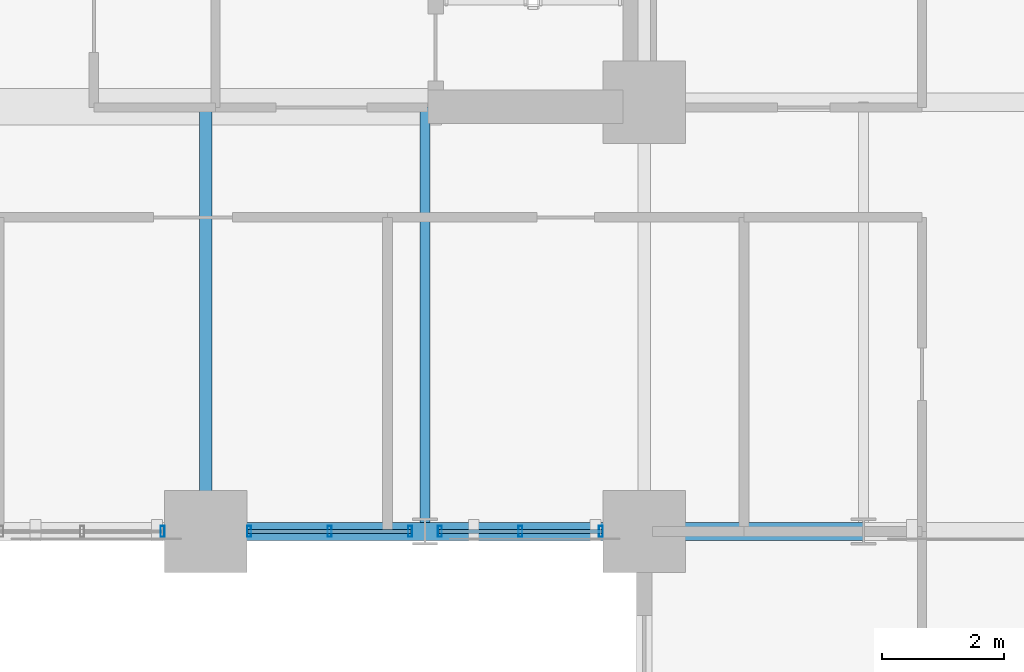
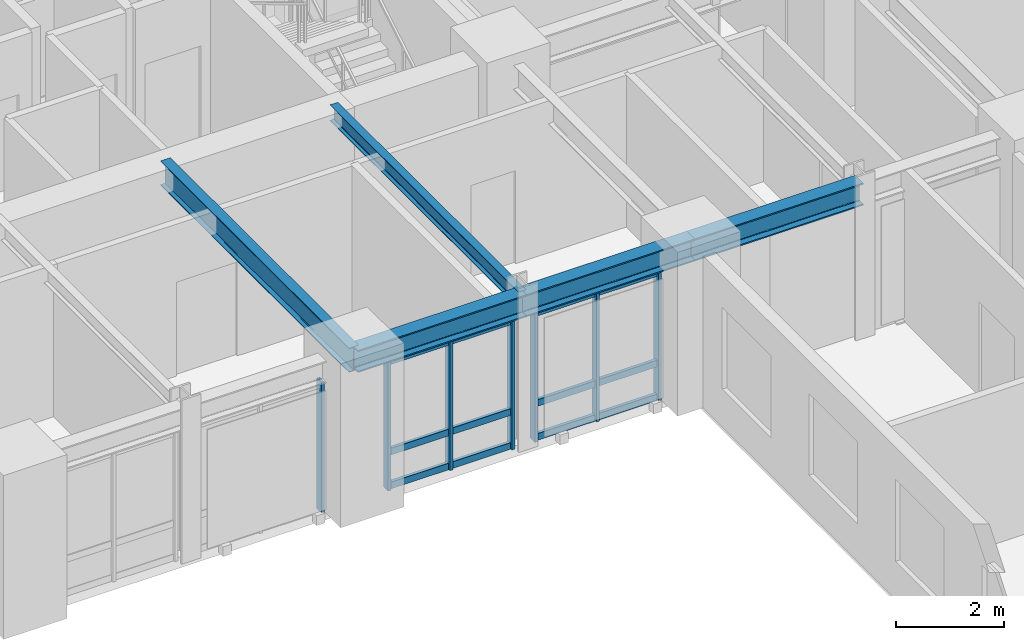
# One storey, part 5 of 16: 13 members, 5 beams, 3 elements without a shape of their own.
"""IFC4 building model written with IfcOpenShell, lengths in metres."""

from ifc_helpers import new_model, si_unit, direction, frame, origin, origin_2d, place, context, subcontext, project, spatial, hollow_rectangle, i_section, extrude, source, transform, mapped, material, layer, layer_set, material_profile, profile_set, type_object, element, aggregate, save


model = new_model("IFC4")

# Units and contexts
model_context = context("Model", 3, precision=1e-05, world=origin(), true_north=direction((0.0, 1.0)))
body_context = subcontext(model_context, "Body", "Model", "MODEL_VIEW")
ifc_project = project(units=[si_unit("LENGTHUNIT", "METRE"), si_unit("AREAUNIT", "SQUARE_METRE"), si_unit("VOLUMEUNIT", "CUBIC_METRE"), si_unit("PLANEANGLEUNIT", "RADIAN"), si_unit("MASSUNIT", "GRAM", prefix="KILO")], contexts=[model_context])

# Site, building, storey
site_placement = place(None, origin())
site = spatial("IfcSite", under=ifc_project, at=site_placement, CompositionType="ELEMENT")
building_placement = place(site_placement, origin())
building = spatial("IfcBuilding", under=site, at=building_placement, Name="Kaliganga Portal Commons", CompositionType="ELEMENT")
storey_placement = place(building_placement, frame((0.0, 0.0, 29.0)))
storey = spatial("IfcBuildingStorey", under=building, at=storey_placement, Name="L06", CompositionType="ELEMENT", Elevation=29.0)

# Beams
ifc_material_1 = material(Name="Structural steel S355J2", Category="steel")
ifc_material_profile_1 = material_profile(ifc_material_1, i_section(OverallWidth=0.300048828125, OverallDepth=0.5, WebThickness=0.014404296875, FlangeThickness=0.028076171875, FilletRadius=0.027099609375, at=origin_2d()), Name="HE 500 B")
ifc_profile_set_1 = profile_set([ifc_material_profile_1], Name="Structural steel S355J2 wide-flange")
beam_type_1 = type_object("IfcBeamType", Name="BM-SPAND-500", PredefinedType="SPANDREL", material=ifc_profile_set_1)
shared_shape_1 = source(origin(), body_context, "Body", "SweptSolid", [
    extrude(i_section(OverallWidth=0.300048828125, OverallDepth=0.5, WebThickness=0.014404296875, FlangeThickness=0.028076171875, FilletRadius=0.027099609375, at=origin_2d()), origin(), (0.0, 0.0, 1.0), 3.60009765625),
])
beam_1_placement = place(storey_placement, frame((25.199951171875, 21.60009765625, 3.199951171875), z_axis=(1.0, 0.0, 0.0), x_axis=(0.0, 1.0, 0.0)))
element("IfcBeam", 1, at=beam_1_placement, inside=storey, type_object=beam_type_1, Name="BM SP L06 AS 4", PredefinedType="SPANDREL", context=body_context, shape_type="MappedRepresentation", body=[
    mapped(shared_shape_1, transform((0.0, 0.0, 0.0), x_axis=(1.0, 0.0, 0.0), y_axis=(0.0, 1.0, 0.0), z_axis=(0.0, 0.0, 1.0), scale=1.0)),
])
shared_shape_2 = source(origin(), body_context, "Body", "SweptSolid", [
    extrude(i_section(OverallWidth=0.300048828125, OverallDepth=0.5, WebThickness=0.014404296875, FlangeThickness=0.028076171875, FilletRadius=0.027099609375, at=origin_2d()), origin(), (0.0, 0.0, 1.0), 3.599853515625),
])
for number, where, z_axis, x_axis, name in (
    (2, (21.60009765625, 21.60009765625, 3.199951171875), (1.0, 0.0, 0.0), (0.0, 1.0, 0.0), "BM SP L06 AS 3"),
    (3, (28.800048828125, 21.60009765625, 3.199951171875), (1.0, 0.0, 0.0), (0.0, 1.0, 0.0), "BM SP L06 AS 5"),
):
    element("IfcBeam", number, at=place(storey_placement, frame(where, z_axis=z_axis, x_axis=x_axis)), inside=storey, type_object=beam_type_1, Name=name, PredefinedType="SPANDREL", context=body_context, shape_type="MappedRepresentation", body=[
        mapped(shared_shape_2, transform((0.0, 0.0, 0.0), x_axis=(1.0, 0.0, 0.0), y_axis=(0.0, 1.0, 0.0), z_axis=(0.0, 0.0, 1.0), scale=1.0)),
    ])
ifc_material_profile_2 = material_profile(ifc_material_1, i_section(OverallWidth=0.169921875, OverallDepth=0.360107421875, WebThickness=0.008056640625, FlangeThickness=0.0126953125, FilletRadius=0.01806640625, at=origin_2d()), Name="IPE 360")
ifc_profile_set_2 = profile_set([ifc_material_profile_2], Name="Structural steel S355J2 wide-flange")
beam_type_2 = type_object("IfcBeamType", Name="BM-JST-360", PredefinedType="JOIST", material=ifc_profile_set_2)
shared_shape_3 = source(origin(), body_context, "Body", "SweptSolid", [
    extrude(i_section(OverallWidth=0.169921875, OverallDepth=0.360107421875, WebThickness=0.008056640625, FlangeThickness=0.0126953125, FilletRadius=0.01806640625, at=origin_2d()), origin(), (0.0, 0.0, 1.0), 6.974853515625),
])
beam_2_placement = place(storey_placement, frame((25.199951171875, 21.60009765625, 3.27001953125), z_axis=(0.0, 1.0, 0.0), x_axis=(-1.0, 0.0, 0.0)))
element("IfcBeam", 4, at=beam_2_placement, inside=storey, type_object=beam_type_2, Name="BM G L06 AS252", PredefinedType="JOIST", context=body_context, shape_type="MappedRepresentation", body=[
    mapped(shared_shape_3, transform((0.0, 0.0, 0.0), x_axis=(1.0, 0.0, 0.0), y_axis=(0.0, 1.0, 0.0), z_axis=(0.0, 0.0, 1.0), scale=1.0)),
])
ifc_material_profile_3 = material_profile(ifc_material_1, i_section(OverallWidth=0.2099609375, OverallDepth=0.550048828125, WebThickness=0.010986328125, FlangeThickness=0.01708984375, FilletRadius=0.02392578125, at=origin_2d()), Name="IPE 550")
ifc_profile_set_3 = profile_set([ifc_material_profile_3], Name="Structural steel S355J2 wide-flange")
beam_type_3 = type_object("IfcBeamType", Name="BM-FLR-550", PredefinedType="BEAM", material=ifc_profile_set_3)
shared_shape_4 = source(origin(), body_context, "Body", "SweptSolid", [
    extrude(i_section(OverallWidth=0.2099609375, OverallDepth=0.550048828125, WebThickness=0.010986328125, FlangeThickness=0.01708984375, FilletRadius=0.02392578125, at=origin_2d()), origin(), (0.0, 0.0, 1.0), 6.974853515625),
])
beam_3_placement = place(storey_placement, frame((21.60009765625, 21.60009765625, 3.175048828125), z_axis=(0.0, 1.0, 0.0), x_axis=(-1.0, 0.0, 0.0)))
element("IfcBeam", 5, at=beam_3_placement, inside=storey, type_object=beam_type_3, Name="BM G L06 AS216", PredefinedType="BEAM", context=body_context, shape_type="MappedRepresentation", body=[
    mapped(shared_shape_4, transform((0.0, 0.0, 0.0), x_axis=(1.0, 0.0, 0.0), y_axis=(0.0, 1.0, 0.0), z_axis=(0.0, 0.0, 1.0), scale=1.0)),
])

# Curtain wall, member
ifc_material_2 = material(Name="Anodized Aluminium and Laminated Low-E Glass", Category="aluminium")
ifc_layer = layer(ifc_material_2, 0.2099609375)
ifc_layer_set = layer_set([ifc_layer], Name="Anodized Aluminium and Laminated Low-E Glass")
curtain_wall_type = type_object("IfcCurtainWallType", Name="CW-SYS-03", PredefinedType="NOTDEFINED", material=ifc_layer_set)
curtain_wall_1_placement = place(storey_placement, origin())
curtain_wall_1 = element("IfcCurtainWall", 6, at=curtain_wall_1_placement, inside=storey, type_object=curtain_wall_type, Name="CW 03 L06 P1E04S3", PredefinedType="NOTDEFINED")
ifc_material_3 = material(Name="Dark Bronze Anodized Aluminium", Category="aluminium")
ifc_material_profile_4 = material_profile(ifc_material_3, hollow_rectangle(XDim=0.06494140625, YDim=0.179931640625, WallThickness=0.00390625, at=origin_2d()), Name="ALU MULL 65x180x4")
ifc_profile_set_4 = profile_set([ifc_material_profile_4], Name="Dark Bronze Anodized Aluminium")
member_type_1 = type_object("IfcMemberType", Name="CW-MUL-180", PredefinedType="MULLION", material=ifc_profile_set_4)
shared_shape_5 = source(origin(), body_context, "Body", "SweptSolid", [
    extrude(hollow_rectangle(XDim=0.06494140625, YDim=0.179931640625, WallThickness=0.00390625, at=origin_2d()), origin(), (0.0, 0.0, 1.0), 2.949951171875),
])
member_1_placement = place(storey_placement, frame((20.888916015625, 21.60009765625, 0.0), z_axis=(0.0, 0.0, 1.0), x_axis=(1.0, 0.0, 0.0)))
member_1 = element("IfcMember", 7, at=member_1_placement, type_object=member_type_1, Name="CW:03:L06:P1E04S3 Mullion 02", PredefinedType="MULLION", context=body_context, shape_type="MappedRepresentation", body=[
    mapped(shared_shape_5, transform((0.0, 0.0, 0.0), x_axis=(1.0, 0.0, 0.0), y_axis=(0.0, 1.0, 0.0), z_axis=(0.0, 0.0, 1.0), scale=1.0)),
])
aggregate(curtain_wall_1, [member_1])

# Curtain wall, members
curtain_wall_2_placement = place(storey_placement, origin())
curtain_wall_2 = element("IfcCurtainWall", 8, at=curtain_wall_2_placement, inside=storey, type_object=curtain_wall_type, Name="CW 03 L06 P1E04S4", PredefinedType="NOTDEFINED")
member_2_placement = place(storey_placement, frame((22.31103515625, 21.60009765625, 0.0), z_axis=(0.0, 0.0, 1.0), x_axis=(1.0, 0.0, 0.0)))
member_2 = element("IfcMember", 9, at=member_2_placement, type_object=member_type_1, Name="CW:03:L06:P1E04S4 Mullion 00", PredefinedType="MULLION", context=body_context, shape_type="MappedRepresentation", body=[
    mapped(shared_shape_5, transform((0.0, 0.0, 0.0), x_axis=(1.0, 0.0, 0.0), y_axis=(0.0, 1.0, 0.0), z_axis=(0.0, 0.0, 1.0), scale=1.0)),
])
member_3_placement = place(storey_placement, frame((23.633544921875, 21.60009765625, 0.0), z_axis=(0.0, 0.0, 1.0), x_axis=(1.0, 0.0, 0.0)))
member_3 = element("IfcMember", 10, at=member_3_placement, type_object=member_type_1, Name="CW:03:L06:P1E04S4 Mullion 01", PredefinedType="MULLION", context=body_context, shape_type="MappedRepresentation", body=[
    mapped(shared_shape_5, transform((0.0, 0.0, 0.0), x_axis=(1.0, 0.0, 0.0), y_axis=(0.0, 1.0, 0.0), z_axis=(0.0, 0.0, 1.0), scale=1.0)),
])
member_4_placement = place(storey_placement, frame((24.9560546875, 21.60009765625, 0.0), z_axis=(0.0, 0.0, 1.0), x_axis=(1.0, 0.0, 0.0)))
member_4 = element("IfcMember", 11, at=member_4_placement, type_object=member_type_1, Name="CW:03:L06:P1E04S4 Mullion 02", PredefinedType="MULLION", context=body_context, shape_type="MappedRepresentation", body=[
    mapped(shared_shape_5, transform((0.0, 0.0, 0.0), x_axis=(1.0, 0.0, 0.0), y_axis=(0.0, 1.0, 0.0), z_axis=(0.0, 0.0, 1.0), scale=1.0)),
])

curtain_wall_3_placement = place(storey_placement, origin())
curtain_wall_3 = element("IfcCurtainWall", 12, at=curtain_wall_3_placement, inside=storey, type_object=curtain_wall_type, Name="CW 03 L06 P1E04S5", PredefinedType="NOTDEFINED")
member_5_placement = place(storey_placement, frame((25.444091796875, 21.60009765625, 0.0), z_axis=(0.0, 0.0, 1.0), x_axis=(1.0, 0.0, 0.0)))
member_5 = element("IfcMember", 13, at=member_5_placement, type_object=member_type_1, Name="CW:03:L06:P1E04S5 Mullion 00", PredefinedType="MULLION", context=body_context, shape_type="MappedRepresentation", body=[
    mapped(shared_shape_5, transform((0.0, 0.0, 0.0), x_axis=(1.0, 0.0, 0.0), y_axis=(0.0, 1.0, 0.0), z_axis=(0.0, 0.0, 1.0), scale=1.0)),
])
member_6_placement = place(storey_placement, frame((26.7666015625, 21.60009765625, 0.0), z_axis=(0.0, 0.0, 1.0), x_axis=(1.0, 0.0, 0.0)))
member_6 = element("IfcMember", 14, at=member_6_placement, type_object=member_type_1, Name="CW:03:L06:P1E04S5 Mullion 01", PredefinedType="MULLION", context=body_context, shape_type="MappedRepresentation", body=[
    mapped(shared_shape_5, transform((0.0, 0.0, 0.0), x_axis=(1.0, 0.0, 0.0), y_axis=(0.0, 1.0, 0.0), z_axis=(0.0, 0.0, 1.0), scale=1.0)),
])
member_7_placement = place(storey_placement, frame((28.089111328125, 21.60009765625, 0.0), z_axis=(0.0, 0.0, 1.0), x_axis=(1.0, 0.0, 0.0)))
member_7 = element("IfcMember", 15, at=member_7_placement, type_object=member_type_1, Name="CW:03:L06:P1E04S5 Mullion 02", PredefinedType="MULLION", context=body_context, shape_type="MappedRepresentation", body=[
    mapped(shared_shape_5, transform((0.0, 0.0, 0.0), x_axis=(1.0, 0.0, 0.0), y_axis=(0.0, 1.0, 0.0), z_axis=(0.0, 0.0, 1.0), scale=1.0)),
])

# Member
ifc_material_profile_5 = material_profile(ifc_material_3, hollow_rectangle(XDim=0.070068359375, YDim=0.14990234375, WallThickness=0.00341796875, at=origin_2d()), Name="ALU TRAN 70x150x3.5")
ifc_profile_set_5 = profile_set([ifc_material_profile_5], Name="Dark Bronze Anodized Aluminium")
member_type_2 = type_object("IfcMemberType", Name="CW-TRN-150", PredefinedType="USERDEFINED", material=ifc_profile_set_5)
shared_shape_6 = source(origin(), body_context, "Body", "SweptSolid", [
    extrude(hollow_rectangle(XDim=0.070068359375, YDim=0.14990234375, WallThickness=0.00341796875, at=origin_2d()), origin(), (0.0, 0.0, 1.0), 2.675048828125),
])
member_8_placement = place(storey_placement, frame((22.2958984375, 21.60009765625, 0.06005859375), z_axis=(1.0, 0.0, 0.0), x_axis=(0.0, 1.0, 0.0)))
member_8 = element("IfcMember", 16, at=member_8_placement, type_object=member_type_2, Name="CW:03:L06:P1E04S4 Transom 1", ObjectType="TRANSOM", PredefinedType="USERDEFINED", context=body_context, shape_type="MappedRepresentation", body=[
    mapped(shared_shape_6, transform((0.0, 0.0, 0.0), x_axis=(1.0, 0.0, 0.0), y_axis=(0.0, 1.0, 0.0), z_axis=(0.0, 0.0, 1.0), scale=1.0)),
])

member_9_placement = place(storey_placement, frame((22.2958984375, 21.60009765625, 0.825927734375), z_axis=(1.0, 0.0, 0.0), x_axis=(0.0, 1.0, 0.0)))
member_9 = element("IfcMember", 17, at=member_9_placement, type_object=member_type_2, Name="CW:03:L06:P1E04S4 Transom 2", ObjectType="TRANSOM", PredefinedType="USERDEFINED", context=body_context, shape_type="MappedRepresentation", body=[
    mapped(shared_shape_6, transform((0.0, 0.0, 0.0), x_axis=(1.0, 0.0, 0.0), y_axis=(0.0, 1.0, 0.0), z_axis=(0.0, 0.0, 1.0), scale=1.0)),
])

member_10_placement = place(storey_placement, frame((22.2958984375, 21.60009765625, 2.8701171875), z_axis=(1.0, 0.0, 0.0), x_axis=(0.0, 1.0, 0.0)))
member_10 = element("IfcMember", 18, at=member_10_placement, type_object=member_type_2, Name="CW:03:L06:P1E04S4 Transom 3", ObjectType="TRANSOM", PredefinedType="USERDEFINED", context=body_context, shape_type="MappedRepresentation", body=[
    mapped(shared_shape_6, transform((0.0, 0.0, 0.0), x_axis=(1.0, 0.0, 0.0), y_axis=(0.0, 1.0, 0.0), z_axis=(0.0, 0.0, 1.0), scale=1.0)),
])

aggregate(curtain_wall_2, [member_2, member_3, member_4, member_8, member_9, member_10])

member_11_placement = place(storey_placement, frame((25.428955078125, 21.60009765625, 0.06005859375), z_axis=(1.0, 0.0, 0.0), x_axis=(0.0, 1.0, 0.0)))
member_11 = element("IfcMember", 19, at=member_11_placement, type_object=member_type_2, Name="CW:03:L06:P1E04S5 Transom 1", ObjectType="TRANSOM", PredefinedType="USERDEFINED", context=body_context, shape_type="MappedRepresentation", body=[
    mapped(shared_shape_6, transform((0.0, 0.0, 0.0), x_axis=(1.0, 0.0, 0.0), y_axis=(0.0, 1.0, 0.0), z_axis=(0.0, 0.0, 1.0), scale=1.0)),
])

member_12_placement = place(storey_placement, frame((25.428955078125, 21.60009765625, 0.825927734375), z_axis=(1.0, 0.0, 0.0), x_axis=(0.0, 1.0, 0.0)))
member_12 = element("IfcMember", 20, at=member_12_placement, type_object=member_type_2, Name="CW:03:L06:P1E04S5 Transom 2", ObjectType="TRANSOM", PredefinedType="USERDEFINED", context=body_context, shape_type="MappedRepresentation", body=[
    mapped(shared_shape_6, transform((0.0, 0.0, 0.0), x_axis=(1.0, 0.0, 0.0), y_axis=(0.0, 1.0, 0.0), z_axis=(0.0, 0.0, 1.0), scale=1.0)),
])

member_13_placement = place(storey_placement, frame((25.428955078125, 21.60009765625, 2.8701171875), z_axis=(1.0, 0.0, 0.0), x_axis=(0.0, 1.0, 0.0)))
member_13 = element("IfcMember", 21, at=member_13_placement, type_object=member_type_2, Name="CW:03:L06:P1E04S5 Transom 3", ObjectType="TRANSOM", PredefinedType="USERDEFINED", context=body_context, shape_type="MappedRepresentation", body=[
    mapped(shared_shape_6, transform((0.0, 0.0, 0.0), x_axis=(1.0, 0.0, 0.0), y_axis=(0.0, 1.0, 0.0), z_axis=(0.0, 0.0, 1.0), scale=1.0)),
])

aggregate(curtain_wall_3, [member_5, member_6, member_7, member_11, member_12, member_13])

save(model, "model.ifc")
